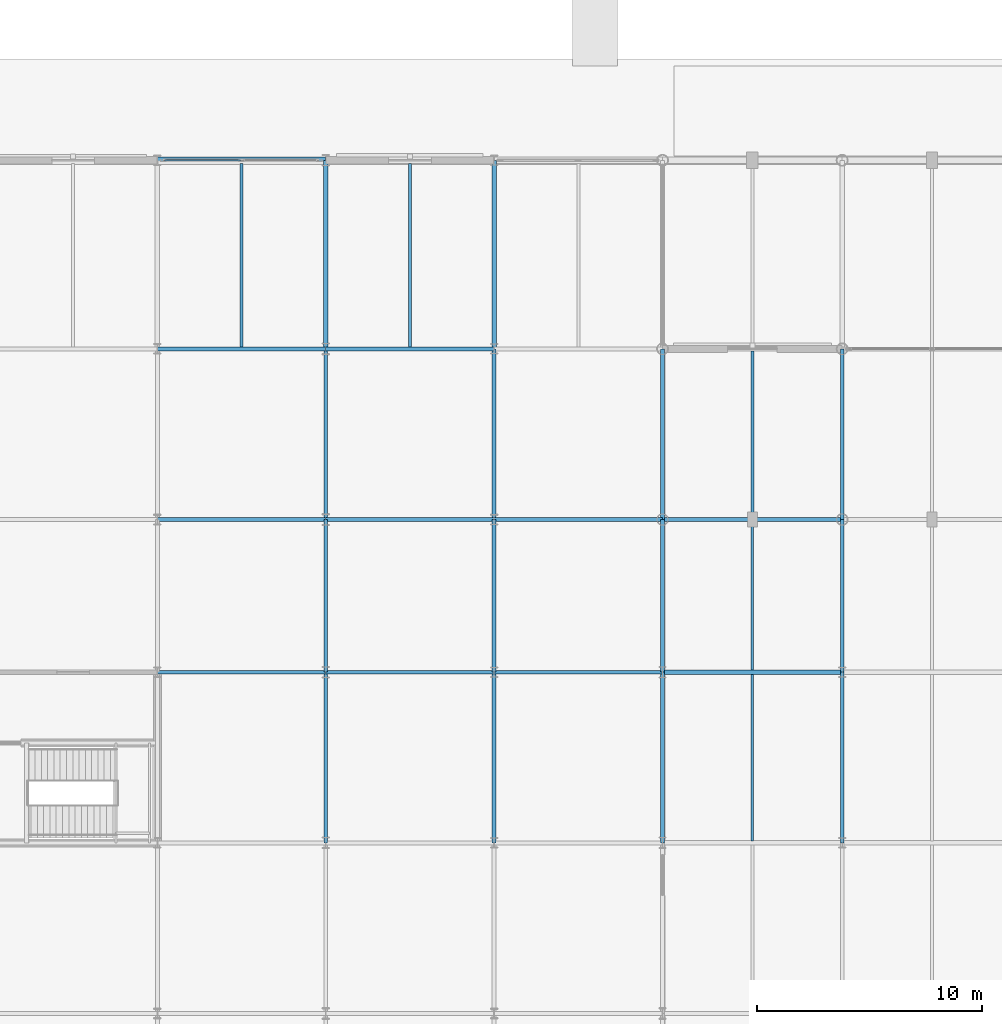
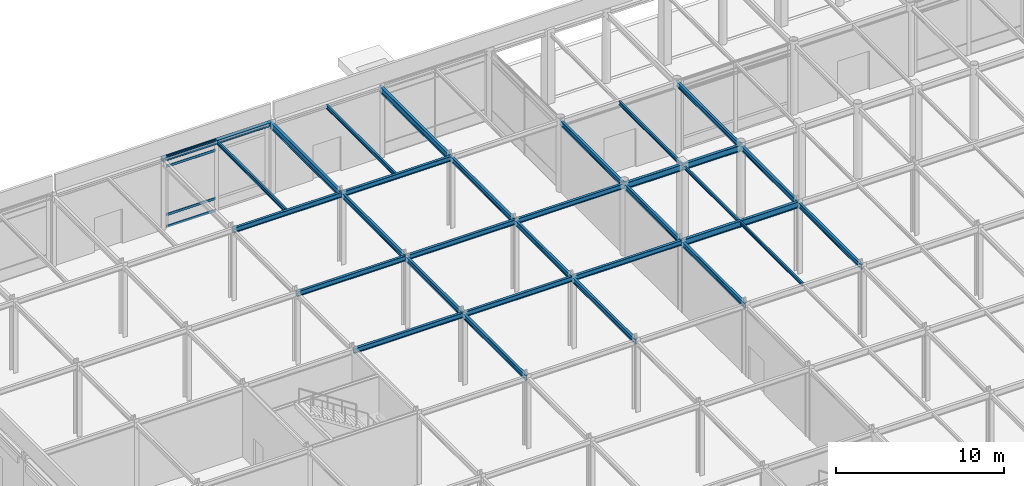
# One storey, part 33 of 89: 30 beams, 4 members, 1 element without a shape of its own.
"""IFC4 building model written with IfcOpenShell, lengths in metres."""

from ifc_helpers import new_model, si_unit, direction, frame, origin, origin_2d, place, context, subcontext, project, spatial, hollow_rectangle, i_section, extrude, material, layer, layer_set, material_profile, profile_set, type_object, element, aggregate, save


model = new_model("IFC4")

# Units and contexts
model_context = context("Model", 3, precision=1e-05, world=origin(), true_north=direction((0.0, 1.0)))
body_context = subcontext(model_context, "Body", "Model", "MODEL_VIEW")
ifc_project = project(units=[si_unit("LENGTHUNIT", "METRE"), si_unit("AREAUNIT", "SQUARE_METRE"), si_unit("VOLUMEUNIT", "CUBIC_METRE"), si_unit("PLANEANGLEUNIT", "RADIAN"), si_unit("MASSUNIT", "GRAM", prefix="KILO")], contexts=[model_context])

# Site, building, storey
site_placement = place(None, origin())
site = spatial("IfcSite", under=ifc_project, at=site_placement, CompositionType="ELEMENT")
building_placement = place(site_placement, origin())
building = spatial("IfcBuilding", under=site, at=building_placement, Name="Shalkamar Park Central Library", CompositionType="ELEMENT")
storey_placement = place(building_placement, origin())
storey = spatial("IfcBuildingStorey", under=building, at=storey_placement, Name="L01", CompositionType="ELEMENT", Elevation=0.0)

# Beams
ifc_material_1 = material(Name="Steel S355", Category="steel")
ifc_material_profile_1 = material_profile(ifc_material_1, i_section(OverallWidth=0.1201171875, OverallDepth=0.239990234375, WebThickness=0.006103515625, FlangeThickness=0.009765625, FilletRadius=0.014892578125, at=origin_2d()), Name="IPE 240")
ifc_profile_set_1 = profile_set([ifc_material_profile_1], Name="Steel S355")
beam_type_1 = type_object("IfcBeamType", Name="Composite Floor Joist IPE240", PredefinedType="JOIST", material=ifc_profile_set_1)
beam_1_placement = place(storey_placement, frame((169.0, 323.693115234375, 5.02001953125), z_axis=(0.0, 1.0, 0.0), x_axis=(-1.0, 0.0, 0.0)))
element("IfcBeam", 1, at=beam_1_placement, inside=storey, type_object=beam_type_1, Name="Composite Joist 07/M-1 (L01)", PredefinedType="JOIST", context=body_context, shape_type="SweptSolid", body=[
    extrude(i_section(OverallWidth=0.1201171875, OverallDepth=0.239990234375, WebThickness=0.006103515625, FlangeThickness=0.009765625, FilletRadius=0.014892578125, at=origin_2d()), origin(), (0.0, 0.0, 1.0), 7.413818359375),
])
beam_2_placement = place(storey_placement, frame((169.0, 331.29296875, 5.02001953125), z_axis=(0.0, 1.0, 0.0), x_axis=(-1.0, 0.0, 0.0)))
element("IfcBeam", 2, at=beam_2_placement, inside=storey, type_object=beam_type_1, Name="Composite Joist 07/N-1 (L01)", PredefinedType="JOIST", context=body_context, shape_type="SweptSolid", body=[
    extrude(i_section(OverallWidth=0.1201171875, OverallDepth=0.239990234375, WebThickness=0.006103515625, FlangeThickness=0.009765625, FilletRadius=0.014892578125, at=origin_2d()), origin(), (0.0, 0.0, 1.0), 6.614013671875),
])
ifc_material_profile_2 = material_profile(ifc_material_1, i_section(OverallWidth=0.135009765625, OverallDepth=0.27001953125, WebThickness=0.006591796875, FlangeThickness=0.01025390625, FilletRadius=0.014892578125, at=origin_2d()), Name="IPE 270")
ifc_profile_set_2 = profile_set([ifc_material_profile_2], Name="Steel S355")
beam_type_2 = type_object("IfcBeamType", Name="Composite Floor Joist IPE270", PredefinedType="JOIST", material=ifc_profile_set_2)
for number, where, z_axis, x_axis, name in (
    (3, (146.25, 345.68310546875, 5.014892578125), (0.0, 1.0, 0.0), (-1.0, 0.0, 0.0), "Composite Joist 04/Q-1 (L01)"),
    (4, (153.75, 345.68310546875, 5.0048828125), (0.0, 1.0, 0.0), (-1.0, 0.0, 0.0), "Composite Joist 05/Q-1 (L01)"),
):
    element("IfcBeam", number, at=place(storey_placement, frame(where, z_axis=z_axis, x_axis=x_axis)), inside=storey, type_object=beam_type_2, Name=name, PredefinedType="JOIST", context=body_context, shape_type="SweptSolid", body=[
        extrude(i_section(OverallWidth=0.135009765625, OverallDepth=0.27001953125, WebThickness=0.006591796875, FlangeThickness=0.01025390625, FilletRadius=0.014892578125, at=origin_2d()), origin(), (0.0, 0.0, 1.0), 8.178955078125),
    ])
beam_3_placement = place(storey_placement, frame((169.0, 338.093017578125, 5.0048828125), z_axis=(0.0, 1.0, 0.0), x_axis=(-1.0, 0.0, 0.0)))
element("IfcBeam", 5, at=beam_3_placement, inside=storey, type_object=beam_type_2, Name="Composite Joist 07/P-1 (L01)", PredefinedType="JOIST", context=body_context, shape_type="SweptSolid", body=[
    extrude(i_section(OverallWidth=0.135009765625, OverallDepth=0.27001953125, WebThickness=0.006591796875, FlangeThickness=0.01025390625, FilletRadius=0.014892578125, at=origin_2d()), origin(), (0.0, 0.0, 1.0), 7.4140625),
])

# Curtain wall, members
ifc_material_2 = material(Name="Thermally broken aluminium and triple low-e curtain wall", Category="aluminium")
ifc_layer = layer(ifc_material_2, 0.264892578125)
ifc_layer_set = layer_set([ifc_layer], Name="UnitisedCurtainWall_06")
curtain_wall_type = type_object("IfcCurtainWallType", Name="Unitised Curtain Wall 06", PredefinedType="USERDEFINED", material=ifc_layer_set)
curtain_wall_placement = place(storey_placement, origin())
curtain_wall = element("IfcCurtainWall", 6, at=curtain_wall_placement, inside=storey, type_object=curtain_wall_type, Name="Unitised Curtain Wall CW-L01-006", ObjectType="UNITISED CURTAIN WALL", PredefinedType="USERDEFINED")
ifc_material_3 = material(Name="Aluminium 6060-T66", Category="aluminium")
ifc_material_profile_3 = material_profile(ifc_material_3, hollow_rectangle(XDim=0.070068359375, YDim=0.179931640625, WallThickness=0.00439453125, InnerFilletRadius=0.00439453125, OuterFilletRadius=0.0068359375, at=origin_2d()), Name="ALU 70x180x4.5")
ifc_profile_set_3 = profile_set([ifc_material_profile_3], Name="Aluminium 6060-T66")
member_type = type_object("IfcMemberType", Name="Curtain Wall Transom ALU70x180", PredefinedType="USERDEFINED", material=ifc_profile_set_3)
member_1_placement = place(storey_placement, frame((142.81396484375, 354.0, 0.034912109375), z_axis=(1.0, 0.0, 0.0), x_axis=(0.0, 1.0, 0.0)))
member_1 = element("IfcMember", 7, at=member_1_placement, type_object=member_type, Name="CW-06 transom 1.1", ObjectType="TRANSOM", PredefinedType="USERDEFINED", context=body_context, shape_type="SweptSolid", body=[
    extrude(hollow_rectangle(XDim=0.070068359375, YDim=0.179931640625, WallThickness=0.00439453125, InnerFilletRadius=0.00439453125, OuterFilletRadius=0.0068359375, at=origin_2d()), origin(), (0.0, 0.0, 1.0), 3.381103515625),
])
member_2_placement = place(storey_placement, frame((142.81396484375, 354.0, 0.89990234375), z_axis=(1.0, 0.0, 0.0), x_axis=(0.0, 1.0, 0.0)))
member_2 = element("IfcMember", 8, at=member_2_placement, type_object=member_type, Name="CW-06 transom 1.2", ObjectType="TRANSOM", PredefinedType="USERDEFINED", context=body_context, shape_type="SweptSolid", body=[
    extrude(hollow_rectangle(XDim=0.070068359375, YDim=0.179931640625, WallThickness=0.00439453125, InnerFilletRadius=0.00439453125, OuterFilletRadius=0.0068359375, at=origin_2d()), origin(), (0.0, 0.0, 1.0), 3.381103515625),
])
member_3_placement = place(storey_placement, frame((142.81396484375, 354.0, 4.39990234375), z_axis=(1.0, 0.0, 0.0), x_axis=(0.0, 1.0, 0.0)))
member_3 = element("IfcMember", 9, at=member_3_placement, type_object=member_type, Name="CW-06 transom 1.3", ObjectType="TRANSOM", PredefinedType="USERDEFINED", context=body_context, shape_type="SweptSolid", body=[
    extrude(hollow_rectangle(XDim=0.070068359375, YDim=0.179931640625, WallThickness=0.00439453125, InnerFilletRadius=0.00439453125, OuterFilletRadius=0.0068359375, at=origin_2d()), origin(), (0.0, 0.0, 1.0), 3.381103515625),
])
member_4_placement = place(storey_placement, frame((142.81396484375, 354.0, 5.114990234375), z_axis=(1.0, 0.0, 0.0), x_axis=(0.0, 1.0, 0.0)))
member_4 = element("IfcMember", 10, at=member_4_placement, type_object=member_type, Name="CW-06 transom 1.4", ObjectType="TRANSOM", PredefinedType="USERDEFINED", context=body_context, shape_type="SweptSolid", body=[
    extrude(hollow_rectangle(XDim=0.070068359375, YDim=0.179931640625, WallThickness=0.00439453125, InnerFilletRadius=0.00439453125, OuterFilletRadius=0.0068359375, at=origin_2d()), origin(), (0.0, 0.0, 1.0), 3.381103515625),
])
aggregate(curtain_wall, [member_1, member_2, member_3, member_4])

# Beams
ifc_material_profile_4 = material_profile(ifc_material_1, i_section(OverallWidth=0.280029296875, OverallDepth=0.27001953125, WebThickness=0.008056640625, FlangeThickness=0.012939453125, FilletRadius=0.02392578125, at=origin_2d()), Name="HEA 280")
ifc_profile_set_4 = profile_set([ifc_material_profile_4], Name="Steel S355")
beam_type_3 = type_object("IfcBeamType", Name="Perimeter Spandrel Beam HEA280", PredefinedType="SPANDREL", material=ifc_profile_set_4)
beam_4_placement = place(storey_placement, frame((142.5, 354.0, 5.014892578125), z_axis=(1.0, 0.0, 0.0), x_axis=(0.0, 1.0, 0.0)))
element("IfcBeam", 11, at=beam_4_placement, inside=storey, type_object=beam_type_3, Name="Beam R:04-05 (L01)", PredefinedType="SPANDREL", context=body_context, shape_type="SweptSolid", body=[
    extrude(i_section(OverallWidth=0.280029296875, OverallDepth=0.27001953125, WebThickness=0.008056640625, FlangeThickness=0.012939453125, FilletRadius=0.02392578125, at=origin_2d()), origin(), (0.0, 0.0, 1.0), 7.5),
])
ifc_material_profile_5 = material_profile(ifc_material_1, i_section(OverallWidth=0.169921875, OverallDepth=0.360107421875, WebThickness=0.008056640625, FlangeThickness=0.0126953125, FilletRadius=0.01806640625, at=origin_2d()), Name="IPE 360")
ifc_profile_set_5 = profile_set([ifc_material_profile_5], Name="Steel S355")
beam_type_4 = type_object("IfcBeamType", Name="Primary Girder IPE360", PredefinedType="BEAM", material=ifc_profile_set_5)
for number, where, z_axis, x_axis, name in (
    (12, (142.5, 331.199951171875, 4.9599609375), (1.0, 0.0, 0.0), (0.0, 1.0, 0.0), "Beam N:04-05 (L01)"),
    (13, (150.0, 331.199951171875, 4.9599609375), (1.0, 0.0, 0.0), (0.0, 1.0, 0.0), "Beam N:05-06 (L01)"),
    (14, (157.5, 331.199951171875, 4.9599609375), (1.0, 0.0, 0.0), (0.0, 1.0, 0.0), "Beam N:06-07 (L01)"),
    (15, (142.5, 338.0, 4.9599609375), (1.0, 0.0, 0.0), (0.0, 1.0, 0.0), "Beam P:04-05 (L01)"),
    (16, (150.0, 338.0, 4.9599609375), (1.0, 0.0, 0.0), (0.0, 1.0, 0.0), "Beam P:05-06 (L01)"),
    (17, (157.5, 338.0, 4.9599609375), (1.0, 0.0, 0.0), (0.0, 1.0, 0.0), "Beam P:06-07 (L01)"),
    (18, (142.5, 345.60009765625, 4.9599609375), (1.0, 0.0, 0.0), (0.0, 1.0, 0.0), "Beam Q:04-05 (L01)"),
    (19, (150.0, 345.60009765625, 4.9599609375), (1.0, 0.0, 0.0), (0.0, 1.0, 0.0), "Beam Q:05-06 (L01)"),
):
    element("IfcBeam", number, at=place(storey_placement, frame(where, z_axis=z_axis, x_axis=x_axis)), inside=storey, type_object=beam_type_4, Name=name, PredefinedType="BEAM", context=body_context, shape_type="SweptSolid", body=[
        extrude(i_section(OverallWidth=0.169921875, OverallDepth=0.360107421875, WebThickness=0.008056640625, FlangeThickness=0.0126953125, FilletRadius=0.01806640625, at=origin_2d()), origin(), (0.0, 0.0, 1.0), 7.5),
    ])
beam_5_placement = place(storey_placement, frame((150.0, 323.60009765625, 4.9599609375), z_axis=(0.0, 1.0, 0.0), x_axis=(-1.0, 0.0, 0.0)))
element("IfcBeam", 20, at=beam_5_placement, inside=storey, type_object=beam_type_4, Name="Beam 05:M-N (L01)", PredefinedType="BEAM", context=body_context, shape_type="SweptSolid", body=[
    extrude(i_section(OverallWidth=0.169921875, OverallDepth=0.360107421875, WebThickness=0.008056640625, FlangeThickness=0.0126953125, FilletRadius=0.01806640625, at=origin_2d()), origin(), (0.0, 0.0, 1.0), 7.599853515625),
])
beam_6_placement = place(storey_placement, frame((150.0, 331.199951171875, 4.9599609375), z_axis=(0.0, 1.0, 0.0), x_axis=(-1.0, 0.0, 0.0)))
element("IfcBeam", 21, at=beam_6_placement, inside=storey, type_object=beam_type_4, Name="Beam 05:N-P (L01)", PredefinedType="BEAM", context=body_context, shape_type="SweptSolid", body=[
    extrude(i_section(OverallWidth=0.169921875, OverallDepth=0.360107421875, WebThickness=0.008056640625, FlangeThickness=0.0126953125, FilletRadius=0.01806640625, at=origin_2d()), origin(), (0.0, 0.0, 1.0), 6.800048828125),
])
beam_7_placement = place(storey_placement, frame((150.0, 338.0, 4.9599609375), z_axis=(0.0, 1.0, 0.0), x_axis=(-1.0, 0.0, 0.0)))
element("IfcBeam", 22, at=beam_7_placement, inside=storey, type_object=beam_type_4, Name="Beam 05:P-Q (L01)", PredefinedType="BEAM", context=body_context, shape_type="SweptSolid", body=[
    extrude(i_section(OverallWidth=0.169921875, OverallDepth=0.360107421875, WebThickness=0.008056640625, FlangeThickness=0.0126953125, FilletRadius=0.01806640625, at=origin_2d()), origin(), (0.0, 0.0, 1.0), 7.60009765625),
])
beam_8_placement = place(storey_placement, frame((157.5, 323.60009765625, 4.9599609375), z_axis=(0.0, 1.0, 0.0), x_axis=(-1.0, 0.0, 0.0)))
element("IfcBeam", 23, at=beam_8_placement, inside=storey, type_object=beam_type_4, Name="Beam 06:M-N (L01)", PredefinedType="BEAM", context=body_context, shape_type="SweptSolid", body=[
    extrude(i_section(OverallWidth=0.169921875, OverallDepth=0.360107421875, WebThickness=0.008056640625, FlangeThickness=0.0126953125, FilletRadius=0.01806640625, at=origin_2d()), origin(), (0.0, 0.0, 1.0), 7.599853515625),
])
beam_9_placement = place(storey_placement, frame((157.5, 331.199951171875, 4.9599609375), z_axis=(0.0, 1.0, 0.0), x_axis=(-1.0, 0.0, 0.0)))
element("IfcBeam", 24, at=beam_9_placement, inside=storey, type_object=beam_type_4, Name="Beam 06:N-P (L01)", PredefinedType="BEAM", context=body_context, shape_type="SweptSolid", body=[
    extrude(i_section(OverallWidth=0.169921875, OverallDepth=0.360107421875, WebThickness=0.008056640625, FlangeThickness=0.0126953125, FilletRadius=0.01806640625, at=origin_2d()), origin(), (0.0, 0.0, 1.0), 6.800048828125),
])
beam_10_placement = place(storey_placement, frame((157.5, 338.0, 4.9599609375), z_axis=(0.0, 1.0, 0.0), x_axis=(-1.0, 0.0, 0.0)))
element("IfcBeam", 25, at=beam_10_placement, inside=storey, type_object=beam_type_4, Name="Beam 06:P-Q (L01)", PredefinedType="BEAM", context=body_context, shape_type="SweptSolid", body=[
    extrude(i_section(OverallWidth=0.169921875, OverallDepth=0.360107421875, WebThickness=0.008056640625, FlangeThickness=0.0126953125, FilletRadius=0.01806640625, at=origin_2d()), origin(), (0.0, 0.0, 1.0), 7.60009765625),
])
beam_11_placement = place(storey_placement, frame((165.0, 323.60009765625, 4.9599609375), z_axis=(0.0, 1.0, 0.0), x_axis=(-1.0, 0.0, 0.0)))
element("IfcBeam", 26, at=beam_11_placement, inside=storey, type_object=beam_type_4, Name="Beam 07:M-N (L01)", PredefinedType="BEAM", context=body_context, shape_type="SweptSolid", body=[
    extrude(i_section(OverallWidth=0.169921875, OverallDepth=0.360107421875, WebThickness=0.008056640625, FlangeThickness=0.0126953125, FilletRadius=0.01806640625, at=origin_2d()), origin(), (0.0, 0.0, 1.0), 7.599853515625),
])
beam_12_placement = place(storey_placement, frame((165.0, 331.199951171875, 4.9599609375), z_axis=(0.0, 1.0, 0.0), x_axis=(-1.0, 0.0, 0.0)))
element("IfcBeam", 27, at=beam_12_placement, inside=storey, type_object=beam_type_4, Name="Beam 07:N-P (L01)", PredefinedType="BEAM", context=body_context, shape_type="SweptSolid", body=[
    extrude(i_section(OverallWidth=0.169921875, OverallDepth=0.360107421875, WebThickness=0.008056640625, FlangeThickness=0.0126953125, FilletRadius=0.01806640625, at=origin_2d()), origin(), (0.0, 0.0, 1.0), 6.800048828125),
])
beam_13_placement = place(storey_placement, frame((165.0, 338.0, 4.9599609375), z_axis=(0.0, 1.0, 0.0), x_axis=(-1.0, 0.0, 0.0)))
element("IfcBeam", 28, at=beam_13_placement, inside=storey, type_object=beam_type_4, Name="Beam 07:P-Q (L01)", PredefinedType="BEAM", context=body_context, shape_type="SweptSolid", body=[
    extrude(i_section(OverallWidth=0.169921875, OverallDepth=0.360107421875, WebThickness=0.008056640625, FlangeThickness=0.0126953125, FilletRadius=0.01806640625, at=origin_2d()), origin(), (0.0, 0.0, 1.0), 7.60009765625),
])
beam_14_placement = place(storey_placement, frame((173.0, 323.60009765625, 4.9599609375), z_axis=(0.0, 1.0, 0.0), x_axis=(-1.0, 0.0, 0.0)))
element("IfcBeam", 29, at=beam_14_placement, inside=storey, type_object=beam_type_4, Name="Beam 08:M-N (L01)", PredefinedType="BEAM", context=body_context, shape_type="SweptSolid", body=[
    extrude(i_section(OverallWidth=0.169921875, OverallDepth=0.360107421875, WebThickness=0.008056640625, FlangeThickness=0.0126953125, FilletRadius=0.01806640625, at=origin_2d()), origin(), (0.0, 0.0, 1.0), 7.599853515625),
])
beam_15_placement = place(storey_placement, frame((173.0, 331.199951171875, 4.9599609375), z_axis=(0.0, 1.0, 0.0), x_axis=(-1.0, 0.0, 0.0)))
element("IfcBeam", 30, at=beam_15_placement, inside=storey, type_object=beam_type_4, Name="Beam 08:N-P (L01)", PredefinedType="BEAM", context=body_context, shape_type="SweptSolid", body=[
    extrude(i_section(OverallWidth=0.169921875, OverallDepth=0.360107421875, WebThickness=0.008056640625, FlangeThickness=0.0126953125, FilletRadius=0.01806640625, at=origin_2d()), origin(), (0.0, 0.0, 1.0), 6.800048828125),
])
beam_16_placement = place(storey_placement, frame((173.0, 338.0, 4.9599609375), z_axis=(0.0, 1.0, 0.0), x_axis=(-1.0, 0.0, 0.0)))
element("IfcBeam", 31, at=beam_16_placement, inside=storey, type_object=beam_type_4, Name="Beam 08:P-Q (L01)", PredefinedType="BEAM", context=body_context, shape_type="SweptSolid", body=[
    extrude(i_section(OverallWidth=0.169921875, OverallDepth=0.360107421875, WebThickness=0.008056640625, FlangeThickness=0.0126953125, FilletRadius=0.01806640625, at=origin_2d()), origin(), (0.0, 0.0, 1.0), 7.60009765625),
])
ifc_material_profile_6 = material_profile(ifc_material_1, i_section(OverallWidth=0.18994140625, OverallDepth=0.449951171875, WebThickness=0.009521484375, FlangeThickness=0.0146484375, FilletRadius=0.02099609375, at=origin_2d()), Name="IPE 450")
ifc_profile_set_6 = profile_set([ifc_material_profile_6], Name="Steel S355")
beam_type_5 = type_object("IfcBeamType", Name="Primary Girder IPE450", PredefinedType="BEAM", material=ifc_profile_set_6)
for number, where, z_axis, x_axis, name in (
    (32, (165.0, 331.199951171875, 4.9150390625), (1.0, 0.0, 0.0), (0.0, 1.0, 0.0), "Beam N:07-08 (L01)"),
    (33, (165.0, 338.0, 4.9150390625), (1.0, 0.0, 0.0), (0.0, 1.0, 0.0), "Beam P:07-08 (L01)"),
):
    element("IfcBeam", number, at=place(storey_placement, frame(where, z_axis=z_axis, x_axis=x_axis)), inside=storey, type_object=beam_type_5, Name=name, PredefinedType="BEAM", context=body_context, shape_type="SweptSolid", body=[
        extrude(i_section(OverallWidth=0.18994140625, OverallDepth=0.449951171875, WebThickness=0.009521484375, FlangeThickness=0.0146484375, FilletRadius=0.02099609375, at=origin_2d()), origin(), (0.0, 0.0, 1.0), 8.0),
    ])
for number, where, z_axis, x_axis, name in (
    (34, (150.0, 345.60009765625, 4.9150390625), (0.0, 1.0, 0.0), (-1.0, 0.0, 0.0), "Beam 05:Q-R (L01)"),
    (35, (157.5, 345.60009765625, 4.9150390625), (0.0, 1.0, 0.0), (-1.0, 0.0, 0.0), "Beam 06:Q-R (L01)"),
):
    element("IfcBeam", number, at=place(storey_placement, frame(where, z_axis=z_axis, x_axis=x_axis)), inside=storey, type_object=beam_type_5, Name=name, PredefinedType="BEAM", context=body_context, shape_type="SweptSolid", body=[
        extrude(i_section(OverallWidth=0.18994140625, OverallDepth=0.449951171875, WebThickness=0.009521484375, FlangeThickness=0.0146484375, FilletRadius=0.02099609375, at=origin_2d()), origin(), (0.0, 0.0, 1.0), 8.39990234375),
    ])

save(model, "model.ifc")
